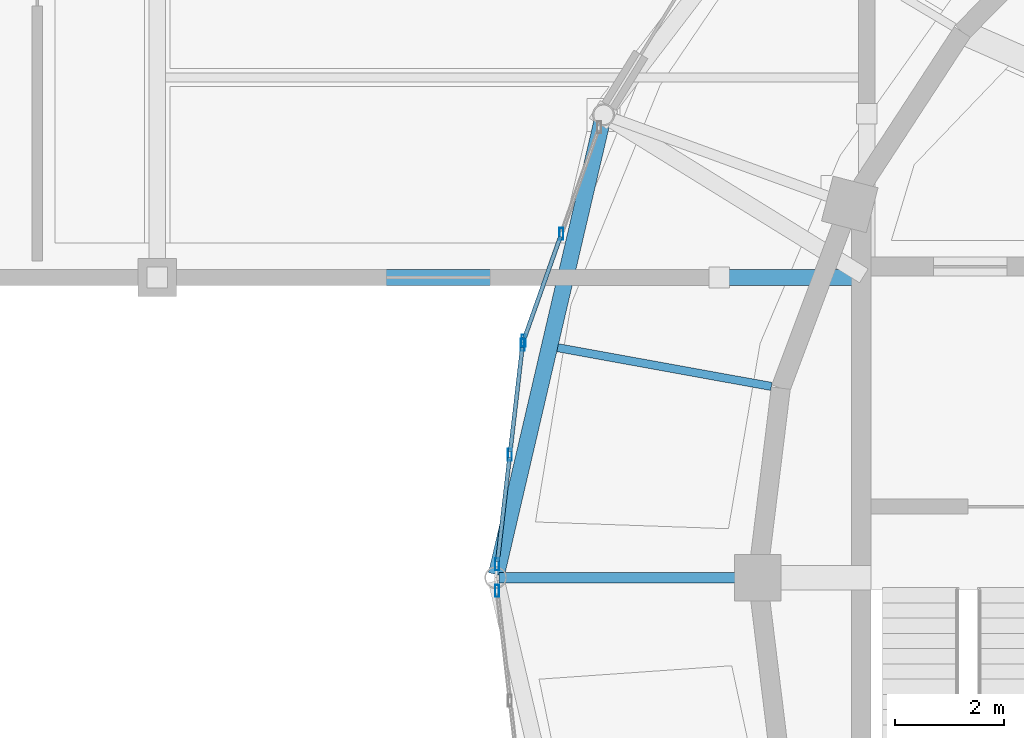
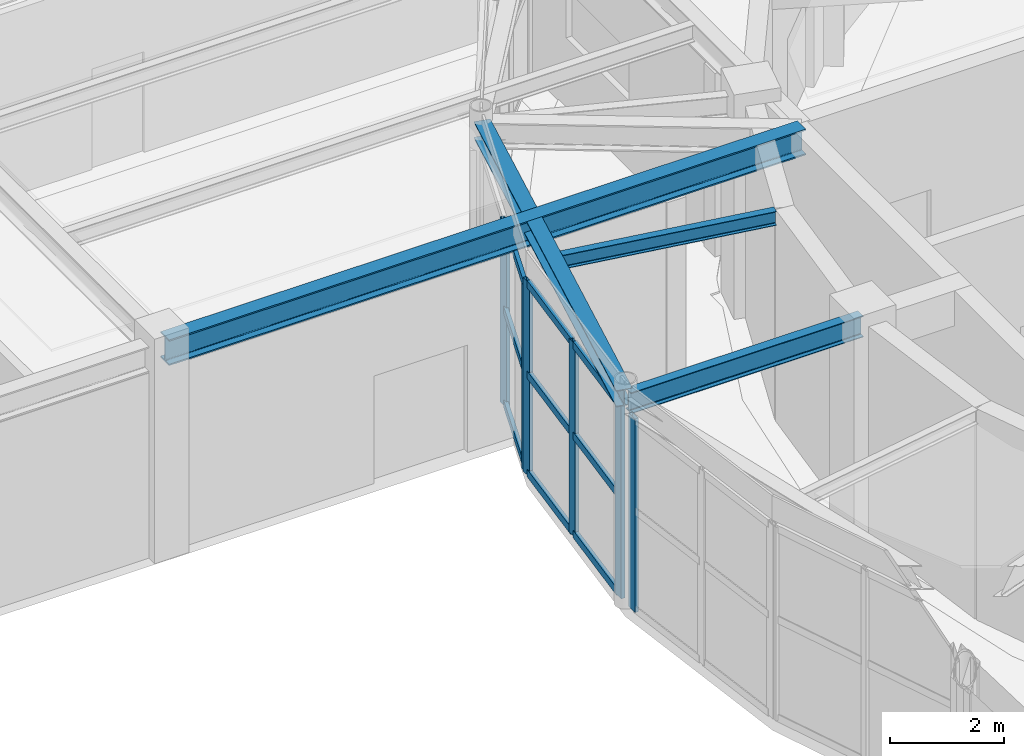
# One storey, part 32 of 108: 15 members, 4 beams, 3 elements without a shape of their own.
"""IFC4 building model written with IfcOpenShell, lengths in metres."""

from ifc_helpers import new_model, si_unit, direction, frame, origin, origin_2d, place, context, subcontext, project, spatial, hollow_rectangle, i_section, extrude, material, material_profile, profile_set, type_object, element, aggregate, save


model = new_model("IFC4")

# Units and contexts
model_context = context("Model", 3, precision=1e-05, world=origin(), true_north=direction((0.0, 1.0)))
body_context = subcontext(model_context, "Body", "Model", "MODEL_VIEW")
ifc_project = project(units=[si_unit("LENGTHUNIT", "METRE"), si_unit("AREAUNIT", "SQUARE_METRE"), si_unit("VOLUMEUNIT", "CUBIC_METRE"), si_unit("PLANEANGLEUNIT", "RADIAN"), si_unit("MASSUNIT", "GRAM", prefix="KILO")], contexts=[model_context])

# Site, building, storey
site_placement = place(None, origin())
site = spatial("IfcSite", under=ifc_project, at=site_placement, CompositionType="ELEMENT")
building_placement = place(site_placement, origin())
building = spatial("IfcBuilding", under=site, at=building_placement, Name="Tarnveldt Headland Concert Hall", CompositionType="ELEMENT")
storey_placement = place(building_placement, origin())
storey = spatial("IfcBuildingStorey", under=building, at=storey_placement, Name="L00", CompositionType="ELEMENT", Elevation=0.0)

# Curtain wall, members
ifc_material_1 = material(Name="Marine-anodised aluminium EN AW-6063-T6", Category="aluminium")
curtain_wall_type = type_object("IfcCurtainWallType", Name="CW-F1", PredefinedType="NOTDEFINED", material=ifc_material_1)
curtain_wall_1_placement = place(storey_placement, origin())
curtain_wall_1 = element("IfcCurtainWall", 1, at=curtain_wall_1_placement, inside=storey, type_object=curtain_wall_type, Name="Curtain wall CW-L00-013", PredefinedType="NOTDEFINED")
ifc_material_profile_1 = material_profile(ifc_material_1, hollow_rectangle(XDim=0.074951171875, YDim=0.219970703125, WallThickness=0.0048828125, at=origin_2d()), Name="ALU MULLION 75x220x5", Category="aluminium")
ifc_profile_set_1 = profile_set([ifc_material_profile_1], Name="Marine-anodised aluminium EN AW-6063-T6")
member_type_1 = type_object("IfcMemberType", Name="ML-200", PredefinedType="MULLION", material=ifc_profile_set_1)
member_1_placement = place(storey_placement, frame((51.904296875, 60.798583984375, 0.0), z_axis=(0.0, 0.0, 1.0), x_axis=(1.0, 0.0, 0.0)))
member_1 = element("IfcMember", 2, at=member_1_placement, type_object=member_type_1, Name="Mullion CW-L00-013-2", PredefinedType="MULLION", context=body_context, shape_type="SweptSolid", body=[
    extrude(hollow_rectangle(XDim=0.074951171875, YDim=0.219970703125, WallThickness=0.0048828125, at=origin_2d()), origin(), (0.0, 0.0, 1.0), 3.9580078125),
])
member_2_placement = place(storey_placement, frame((51.211669921875, 58.84423828125, 0.0), z_axis=(0.0, 0.0, 1.0), x_axis=(1.0, 0.0, 0.0)))
member_2 = element("IfcMember", 3, at=member_2_placement, type_object=member_type_1, Name="Mullion CW-L00-013-3", PredefinedType="MULLION", context=body_context, shape_type="SweptSolid", body=[
    extrude(hollow_rectangle(XDim=0.074951171875, YDim=0.219970703125, WallThickness=0.0048828125, at=origin_2d()), origin(), (0.0, 0.0, 1.0), 3.9580078125),
])

curtain_wall_2_placement = place(storey_placement, origin())
curtain_wall_2 = element("IfcCurtainWall", 4, at=curtain_wall_2_placement, inside=storey, type_object=curtain_wall_type, Name="Curtain wall CW-L00-014", PredefinedType="NOTDEFINED")
member_3_placement = place(storey_placement, frame((51.193603515625, 58.766845703125, 0.0), z_axis=(0.0, 0.0, 1.0), x_axis=(1.0, 0.0, 0.0)))
member_3 = element("IfcMember", 5, at=member_3_placement, type_object=member_type_1, Name="Mullion CW-L00-014-1", PredefinedType="MULLION", context=body_context, shape_type="SweptSolid", body=[
    extrude(hollow_rectangle(XDim=0.074951171875, YDim=0.219970703125, WallThickness=0.0048828125, at=origin_2d()), origin(), (0.0, 0.0, 1.0), 4.139892578125),
])
member_4_placement = place(storey_placement, frame((50.9609375, 56.754150390625, 0.0), z_axis=(0.0, 0.0, 1.0), x_axis=(1.0, 0.0, 0.0)))
member_4 = element("IfcMember", 6, at=member_4_placement, type_object=member_type_1, Name="Mullion CW-L00-014-2", PredefinedType="MULLION", context=body_context, shape_type="SweptSolid", body=[
    extrude(hollow_rectangle(XDim=0.074951171875, YDim=0.219970703125, WallThickness=0.0048828125, at=origin_2d()), origin(), (0.0, 0.0, 1.0), 4.139892578125),
])
member_5_placement = place(storey_placement, frame((50.72802734375, 54.74169921875, 0.0), z_axis=(0.0, 0.0, 1.0), x_axis=(1.0, 0.0, 0.0)))
member_5 = element("IfcMember", 7, at=member_5_placement, type_object=member_type_1, Name="Mullion CW-L00-014-3", PredefinedType="MULLION", context=body_context, shape_type="SweptSolid", body=[
    extrude(hollow_rectangle(XDim=0.074951171875, YDim=0.219970703125, WallThickness=0.0048828125, at=origin_2d()), origin(), (0.0, 0.0, 1.0), 4.139892578125),
])

# Curtain wall, member
curtain_wall_3_placement = place(storey_placement, origin())
curtain_wall_3 = element("IfcCurtainWall", 8, at=curtain_wall_3_placement, inside=storey, type_object=curtain_wall_type, Name="Curtain wall CW-L00-015", PredefinedType="NOTDEFINED")
member_6_placement = place(storey_placement, frame((50.72802734375, 54.25830078125, 0.0), z_axis=(0.0, 0.0, 1.0), x_axis=(1.0, 0.0, 0.0)))
member_6 = element("IfcMember", 9, at=member_6_placement, type_object=member_type_1, Name="Mullion CW-L00-015-1", PredefinedType="MULLION", context=body_context, shape_type="SweptSolid", body=[
    extrude(hollow_rectangle(XDim=0.074951171875, YDim=0.219970703125, WallThickness=0.0048828125, at=origin_2d()), origin(), (0.0, 0.0, 1.0), 4.139892578125),
])
aggregate(curtain_wall_3, [member_6])

# Beams
ifc_material_2 = material(Name="Steel S355", Category="steel")
ifc_material_profile_2 = material_profile(ifc_material_2, i_section(OverallWidth=0.300048828125, OverallDepth=0.35009765625, WebThickness=0.010009765625, FlangeThickness=0.017578125, FilletRadius=0.027099609375, at=origin_2d()), Name="HEA360", Category="steel")
ifc_profile_set_2 = profile_set([ifc_material_profile_2], Name="Steel S355")
beam_type_1 = type_object("IfcBeamType", Name="SB-HEA360", PredefinedType="SPANDREL", material=ifc_profile_set_2)
beam_1_placement = place(storey_placement, frame((52.66455078125, 62.923583984375, 4.344970703125), z_axis=(-0.227123591729, -0.973865942561, 0.0), x_axis=(0.973865942561, -0.227123591729, 0.0)))
element("IfcBeam", 10, at=beam_1_placement, inside=storey, type_object=beam_type_1, Name="Framing beam L00-371", PredefinedType="SPANDREL", context=body_context, shape_type="SweptSolid", body=[
    extrude(i_section(OverallWidth=0.300048828125, OverallDepth=0.35009765625, WebThickness=0.010009765625, FlangeThickness=0.017578125, FilletRadius=0.027099609375, at=origin_2d()), origin(), (0.0, 0.0, 1.0), 8.589599609375),
])
ifc_material_profile_3 = material_profile(ifc_material_2, i_section(OverallWidth=0.300048828125, OverallDepth=0.550048828125, WebThickness=0.014892578125, FlangeThickness=0.029052734375, FilletRadius=0.027099609375, at=origin_2d()), Name="HEB550", Category="steel")
ifc_profile_set_3 = profile_set([ifc_material_profile_3], Name="Steel S355")
beam_type_2 = type_object("IfcBeamType", Name="SB-HEB550", PredefinedType="BEAM", material=ifc_profile_set_3)
beam_2_placement = place(storey_placement, frame((44.56005859375, 60.0, 4.2451171875), z_axis=(1.0, 0.0, 0.0), x_axis=(0.0, 1.0, 0.0)))
element("IfcBeam", 11, at=beam_2_placement, inside=storey, type_object=beam_type_2, Name="Framing beam L00-609", PredefinedType="BEAM", context=body_context, shape_type="SweptSolid", body=[
    extrude(i_section(OverallWidth=0.300048828125, OverallDepth=0.550048828125, WebThickness=0.014892578125, FlangeThickness=0.029052734375, FilletRadius=0.027099609375, at=origin_2d()), origin(), (0.0, 0.0, 1.0), 12.8798828125),
])
ifc_material_profile_4 = material_profile(ifc_material_2, i_section(OverallWidth=0.14990234375, OverallDepth=0.300048828125, WebThickness=0.007080078125, FlangeThickness=0.0107421875, FilletRadius=0.014892578125, at=origin_2d()), Name="IPE300", Category="steel")
ifc_profile_set_4 = profile_set([ifc_material_profile_4], Name="Steel S355")
beam_type_3 = type_object("IfcBeamType", Name="SB-IPE300", PredefinedType="JOIST", material=ifc_profile_set_4)
beam_3_placement = place(storey_placement, frame((55.753173828125, 58.004150390625, 4.3701171875), z_axis=(-0.983953220183, 0.178426624954, 0.0), x_axis=(-0.178426624954, -0.983953220183, 0.0)))
element("IfcBeam", 12, at=beam_3_placement, inside=storey, type_object=beam_type_3, Name="Framing beam L00-373", PredefinedType="JOIST", context=body_context, shape_type="SweptSolid", body=[
    extrude(i_section(OverallWidth=0.14990234375, OverallDepth=0.300048828125, WebThickness=0.007080078125, FlangeThickness=0.0107421875, FilletRadius=0.014892578125, at=origin_2d()), origin(), (0.0, 0.0, 1.0), 3.98046875),
])
ifc_material_profile_5 = material_profile(ifc_material_2, i_section(OverallWidth=0.18994140625, OverallDepth=0.449951171875, WebThickness=0.009521484375, FlangeThickness=0.0146484375, FilletRadius=0.02099609375, at=origin_2d()), Name="IPE450", Category="steel")
ifc_profile_set_5 = profile_set([ifc_material_profile_5], Name="Steel S355")
beam_type_4 = type_object("IfcBeamType", Name="SB-IPE450", PredefinedType="BEAM", material=ifc_profile_set_5)
beam_4_placement = place(storey_placement, frame((55.4599609375, 54.5, 4.294921875), z_axis=(-1.0, 0.0, 0.0), x_axis=(0.0, -1.0, 0.0)))
element("IfcBeam", 13, at=beam_4_placement, inside=storey, type_object=beam_type_4, Name="Framing beam L00-375", PredefinedType="BEAM", context=body_context, shape_type="SweptSolid", body=[
    extrude(i_section(OverallWidth=0.18994140625, OverallDepth=0.449951171875, WebThickness=0.009521484375, FlangeThickness=0.0146484375, FilletRadius=0.02099609375, at=origin_2d()), origin(), (0.0, 0.0, 1.0), 4.699951171875),
])

# Member
ifc_material_profile_6 = material_profile(ifc_material_1, hollow_rectangle(XDim=0.074951171875, YDim=0.159912109375, WallThickness=0.00390625, at=origin_2d()), Name="ALU TRANSOM 75x160x4", Category="aluminium")
ifc_profile_set_6 = profile_set([ifc_material_profile_6], Name="Marine-anodised aluminium EN AW-6063-T6")
member_type_2 = type_object("IfcMemberType", Name="TR-160", PredefinedType="MEMBER", material=ifc_profile_set_6)
member_7_placement = place(storey_placement, frame((51.8876953125, 60.751953125, 0.050048828125), z_axis=(-0.333977607749, -0.942581008467, 0.0), x_axis=(0.942581008467, -0.333977607749, 0.0)))
member_7 = element("IfcMember", 14, at=member_7_placement, type_object=member_type_2, Name="Transom CW-L00-013-2-1", PredefinedType="MEMBER", context=body_context, shape_type="SweptSolid", body=[
    extrude(hollow_rectangle(XDim=0.074951171875, YDim=0.159912109375, WallThickness=0.00390625, at=origin_2d()), origin(), (0.0, 0.0, 1.0), 1.974365234375),
])

member_8_placement = place(storey_placement, frame((51.8876953125, 60.751953125, 2.05810546875), z_axis=(-0.333977607749, -0.942581008467, 0.0), x_axis=(0.942581008467, -0.333977607749, 0.0)))
member_8 = element("IfcMember", 15, at=member_8_placement, type_object=member_type_2, Name="Transom CW-L00-013-2-2", PredefinedType="MEMBER", context=body_context, shape_type="SweptSolid", body=[
    extrude(hollow_rectangle(XDim=0.074951171875, YDim=0.159912109375, WallThickness=0.00390625, at=origin_2d()), origin(), (0.0, 0.0, 1.0), 1.974365234375),
])

member_9_placement = place(storey_placement, frame((51.8876953125, 60.751953125, 3.907958984375), z_axis=(-0.333977607749, -0.942581008467, 0.0), x_axis=(0.942581008467, -0.333977607749, 0.0)))
member_9 = element("IfcMember", 16, at=member_9_placement, type_object=member_type_2, Name="Transom CW-L00-013-2-3", PredefinedType="MEMBER", context=body_context, shape_type="SweptSolid", body=[
    extrude(hollow_rectangle(XDim=0.074951171875, YDim=0.159912109375, WallThickness=0.00390625, at=origin_2d()), origin(), (0.0, 0.0, 1.0), 1.974365234375),
])

aggregate(curtain_wall_1, [member_1, member_2, member_7, member_8, member_9])

member_10_placement = place(storey_placement, frame((51.18798828125, 58.717529296875, 0.050048828125), z_axis=(-0.114922277943, -0.9933744863, 0.0), x_axis=(0.9933744863, -0.114922277943, 0.0)))
member_10 = element("IfcMember", 17, at=member_10_placement, type_object=member_type_2, Name="Transom CW-L00-014-1-1", PredefinedType="MEMBER", context=body_context, shape_type="SweptSolid", body=[
    extrude(hollow_rectangle(XDim=0.074951171875, YDim=0.159912109375, WallThickness=0.00390625, at=origin_2d()), origin(), (0.0, 0.0, 1.0), 1.9267578125),
])

member_11_placement = place(storey_placement, frame((51.18798828125, 58.717529296875, 2.15283203125), z_axis=(-0.114922277943, -0.9933744863, 0.0), x_axis=(0.9933744863, -0.114922277943, 0.0)))
member_11 = element("IfcMember", 18, at=member_11_placement, type_object=member_type_2, Name="Transom CW-L00-014-1-2", PredefinedType="MEMBER", context=body_context, shape_type="SweptSolid", body=[
    extrude(hollow_rectangle(XDim=0.074951171875, YDim=0.159912109375, WallThickness=0.00390625, at=origin_2d()), origin(), (0.0, 0.0, 1.0), 1.9267578125),
])

member_12_placement = place(storey_placement, frame((51.18798828125, 58.717529296875, 4.090087890625), z_axis=(-0.114922277943, -0.9933744863, 0.0), x_axis=(0.9933744863, -0.114922277943, 0.0)))
member_12 = element("IfcMember", 19, at=member_12_placement, type_object=member_type_2, Name="Transom CW-L00-014-1-3", PredefinedType="MEMBER", context=body_context, shape_type="SweptSolid", body=[
    extrude(hollow_rectangle(XDim=0.074951171875, YDim=0.159912109375, WallThickness=0.00390625, at=origin_2d()), origin(), (0.0, 0.0, 1.0), 1.9267578125),
])

member_13_placement = place(storey_placement, frame((50.955078125, 56.705078125, 0.050048828125), z_axis=(-0.114907814894, -0.993376159406, 0.0), x_axis=(0.993376159406, -0.114907814894, 0.0)))
member_13 = element("IfcMember", 20, at=member_13_placement, type_object=member_type_2, Name="Transom CW-L00-014-2-1", PredefinedType="MEMBER", context=body_context, shape_type="SweptSolid", body=[
    extrude(hollow_rectangle(XDim=0.074951171875, YDim=0.159912109375, WallThickness=0.00390625, at=origin_2d()), origin(), (0.0, 0.0, 1.0), 1.927001953125),
])

member_14_placement = place(storey_placement, frame((50.955078125, 56.705078125, 2.15283203125), z_axis=(-0.114907814894, -0.993376159406, 0.0), x_axis=(0.993376159406, -0.114907814894, 0.0)))
member_14 = element("IfcMember", 21, at=member_14_placement, type_object=member_type_2, Name="Transom CW-L00-014-2-2", PredefinedType="MEMBER", context=body_context, shape_type="SweptSolid", body=[
    extrude(hollow_rectangle(XDim=0.074951171875, YDim=0.159912109375, WallThickness=0.00390625, at=origin_2d()), origin(), (0.0, 0.0, 1.0), 1.927001953125),
])

member_15_placement = place(storey_placement, frame((50.955078125, 56.705078125, 4.090087890625), z_axis=(-0.114907814894, -0.993376159406, 0.0), x_axis=(0.993376159406, -0.114907814894, 0.0)))
member_15 = element("IfcMember", 22, at=member_15_placement, type_object=member_type_2, Name="Transom CW-L00-014-2-3", PredefinedType="MEMBER", context=body_context, shape_type="SweptSolid", body=[
    extrude(hollow_rectangle(XDim=0.074951171875, YDim=0.159912109375, WallThickness=0.00390625, at=origin_2d()), origin(), (0.0, 0.0, 1.0), 1.927001953125),
])

aggregate(curtain_wall_2, [member_3, member_4, member_5, member_10, member_11, member_12, member_13, member_14, member_15])

save(model, "model.ifc")
